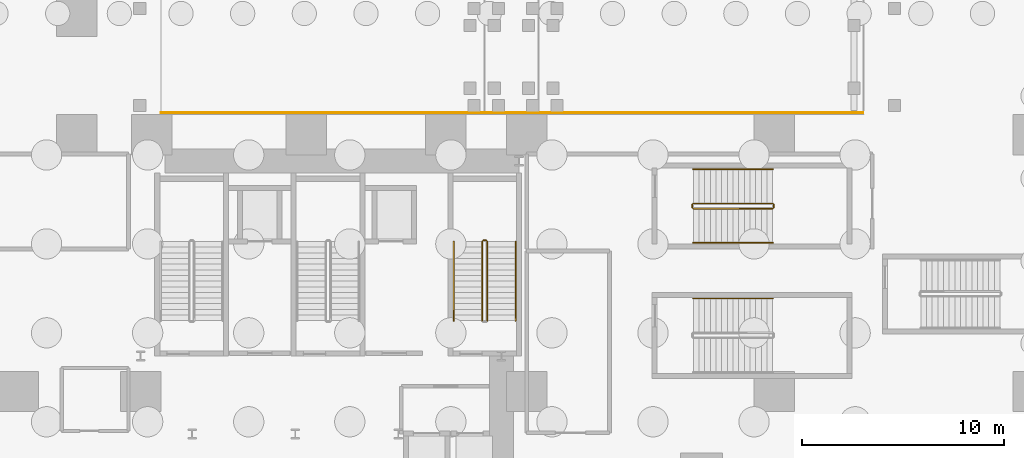
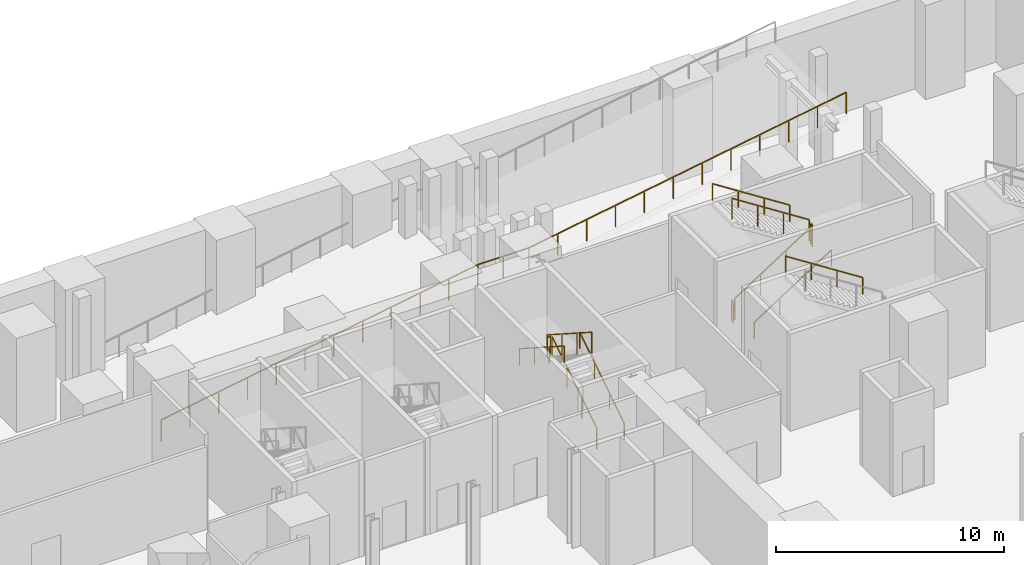
# One storey, part 11 of 14: 13 railings.
"""IFC4 building model written with IfcOpenShell, lengths in metres."""

from ifc_helpers import new_model, si_unit, direction, frame, origin, origin_2d, place, context, subcontext, project, spatial, rectangle, extrude, source, transform, mapped, material, type_object, element, save


model = new_model("IFC4")

# Units and contexts
model_context = context("Model", 3, precision=1e-05, world=origin(), true_north=direction((0.0, 1.0)))
body_context = subcontext(model_context, "Body", "Model", "MODEL_VIEW")
ifc_project = project(units=[si_unit("LENGTHUNIT", "METRE"), si_unit("AREAUNIT", "SQUARE_METRE"), si_unit("VOLUMEUNIT", "CUBIC_METRE"), si_unit("PLANEANGLEUNIT", "RADIAN"), si_unit("MASSUNIT", "GRAM", prefix="KILO")], contexts=[model_context])

# Site, building, storey
site_placement = place(None, origin())
site = spatial("IfcSite", under=ifc_project, at=site_placement, CompositionType="ELEMENT")
building_placement = place(site_placement, origin())
building = spatial("IfcBuilding", under=site, at=building_placement, Name="Vardaveli Station Tower", CompositionType="ELEMENT")
storey_placement = place(building_placement, frame((0.0, 0.0, -11.39990234375)))
storey = spatial("IfcBuildingStorey", under=building, at=storey_placement, Name="B02", CompositionType="ELEMENT", Elevation=-11.39990234375)

# Railings
ifc_material = material(Name="Brushed AISI 316 stainless steel", Category="steel")
railing_type_1 = type_object("IfcRailingType", Name="RL-GUARD-1150", PredefinedType="GUARDRAIL", material=ifc_material)
shared_shape_1 = source(origin(), body_context, "Body", "SweptSolid", [
    extrude(rectangle(XDim=0.048095703125, YDim=0.048095703125, at=origin_2d()), frame((0.0, 0.0, 1.15576171875), z_axis=(-0.986211320384, 0.0, -0.165490880555), x_axis=(0.0, -1.0, 0.0)), (0.0, 0.0, 1.0), 16.314697265625),
    extrude(rectangle(XDim=0.048095703125, YDim=0.048095703125, at=origin_2d()), frame((-16.08984375, 0.0, -1.5439453125), z_axis=(-1.0, 0.0, 0.0), x_axis=(0.0, -1.0, 0.0)), (0.0, 0.0, 1.0), 2.60009765625),
    extrude(rectangle(XDim=0.048095703125, YDim=0.048095703125, at=origin_2d()), frame((-18.68994140625, 0.0, -1.5439453125), z_axis=(-0.986127335493, 0.0, -0.1659905967), x_axis=(0.0, -1.0, 0.0)), (0.0, 0.0, 1.0), 16.265625),
    extrude(rectangle(XDim=0.0419921875, YDim=0.0419921875, at=origin_2d()), origin(), (0.0, 0.0, 1.0), 1.1318359375),
    extrude(rectangle(XDim=0.0419921875, YDim=0.0419921875, at=origin_2d()), frame((-1.462646484375, 0.0, -0.245361328125)), (0.0, 0.0, 1.0), 1.1318359375),
    extrude(rectangle(XDim=0.0419921875, YDim=0.0419921875, at=origin_2d()), frame((-2.925537109375, 0.0, -0.490966796875)), (0.0, 0.0, 1.0), 1.1318359375),
    extrude(rectangle(XDim=0.0419921875, YDim=0.0419921875, at=origin_2d()), frame((-4.38818359375, 0.0, -0.736328125)), (0.0, 0.0, 1.0), 1.1318359375),
    extrude(rectangle(XDim=0.0419921875, YDim=0.0419921875, at=origin_2d()), frame((-5.850830078125, 0.0, -0.981689453125)), (0.0, 0.0, 1.0), 1.1318359375),
    extrude(rectangle(XDim=0.0419921875, YDim=0.0419921875, at=origin_2d()), frame((-7.3134765625, 0.0, -1.227294921875)), (0.0, 0.0, 1.0), 1.1318359375),
    extrude(rectangle(XDim=0.0419921875, YDim=0.0419921875, at=origin_2d()), frame((-8.7763671875, 0.0, -1.47265625)), (0.0, 0.0, 1.0), 1.1318359375),
    extrude(rectangle(XDim=0.0419921875, YDim=0.0419921875, at=origin_2d()), frame((-10.239013671875, 0.0, -1.71826171875)), (0.0, 0.0, 1.0), 1.1318359375),
    extrude(rectangle(XDim=0.0419921875, YDim=0.0419921875, at=origin_2d()), frame((-11.70166015625, 0.0, -1.963623046875)), (0.0, 0.0, 1.0), 1.1318359375),
    extrude(rectangle(XDim=0.0419921875, YDim=0.0419921875, at=origin_2d()), frame((-13.164306640625, 0.0, -2.208984375)), (0.0, 0.0, 1.0), 1.1318359375),
    extrude(rectangle(XDim=0.0419921875, YDim=0.0419921875, at=origin_2d()), frame((-14.627197265625, 0.0, -2.45458984375)), (0.0, 0.0, 1.0), 1.1318359375),
    extrude(rectangle(XDim=0.0419921875, YDim=0.0419921875, at=origin_2d()), frame((-16.08984375, 0.0, -2.699951171875)), (0.0, 0.0, 1.0), 1.1318359375),
    extrude(rectangle(XDim=0.0419921875, YDim=0.0419921875, at=origin_2d()), frame((-17.389892578125, 0.0, -2.699951171875)), (0.0, 0.0, 1.0), 1.1318359375),
    extrude(rectangle(XDim=0.0419921875, YDim=0.0419921875, at=origin_2d()), frame((-18.68994140625, 0.0, -2.699951171875)), (0.0, 0.0, 1.0), 1.1318359375),
    extrude(rectangle(XDim=0.0419921875, YDim=0.0419921875, at=origin_2d()), frame((-20.148193359375, 0.0, -2.9453125)), (0.0, 0.0, 1.0), 1.1318359375),
    extrude(rectangle(XDim=0.0419921875, YDim=0.0419921875, at=origin_2d()), frame((-21.606201171875, 0.0, -3.19091796875)), (0.0, 0.0, 1.0), 1.1318359375),
    extrude(rectangle(XDim=0.0419921875, YDim=0.0419921875, at=origin_2d()), frame((-23.064453125, 0.0, -3.436279296875)), (0.0, 0.0, 1.0), 1.1318359375),
    extrude(rectangle(XDim=0.0419921875, YDim=0.0419921875, at=origin_2d()), frame((-24.522705078125, 0.0, -3.681640625)), (0.0, 0.0, 1.0), 1.1318359375),
    extrude(rectangle(XDim=0.0419921875, YDim=0.0419921875, at=origin_2d()), frame((-25.98095703125, 0.0, -3.92724609375)), (0.0, 0.0, 1.0), 1.1318359375),
    extrude(rectangle(XDim=0.0419921875, YDim=0.0419921875, at=origin_2d()), frame((-27.43896484375, 0.0, -4.172607421875)), (0.0, 0.0, 1.0), 1.1318359375),
    extrude(rectangle(XDim=0.0419921875, YDim=0.0419921875, at=origin_2d()), frame((-28.897216796875, 0.0, -4.418212890625)), (0.0, 0.0, 1.0), 1.1318359375),
    extrude(rectangle(XDim=0.0419921875, YDim=0.0419921875, at=origin_2d()), frame((-30.35546875, 0.0, -4.66357421875)), (0.0, 0.0, 1.0), 1.1318359375),
    extrude(rectangle(XDim=0.0419921875, YDim=0.0419921875, at=origin_2d()), frame((-31.813720703125, 0.0, -4.908935546875)), (0.0, 0.0, 1.0), 1.1318359375),
    extrude(rectangle(XDim=0.0419921875, YDim=0.0419921875, at=origin_2d()), frame((-33.271728515625, 0.0, -5.154541015625)), (0.0, 0.0, 1.0), 1.1318359375),
    extrude(rectangle(XDim=0.0419921875, YDim=0.0419921875, at=origin_2d()), frame((-34.72998046875, 0.0, -5.39990234375)), (0.0, 0.0, 1.0), 1.1318359375),
])
railing_1_placement = place(storey_placement, frame((64.389892578125, 42.679931640625, 5.39990234375)))
element("IfcRailing", 1, at=railing_1_placement, inside=storey, type_object=railing_type_1, Name="RL-RMP-VEH-02-S", PredefinedType="GUARDRAIL", context=body_context, shape_type="MappedRepresentation", body=[
    mapped(shared_shape_1, transform((0.0, 0.0, 0.0), scale=1.0)),
])
shared_shape_2 = source(origin(), body_context, "Body", "SweptSolid", [
    extrude(rectangle(XDim=0.048095703125, YDim=0.048095703125, at=origin_2d()), frame((0.0, 0.0, 1.1259765625), z_axis=(0.0, 0.841186985886, 0.540744352514), x_axis=(-1.0, 0.0, 0.0)), (0.0, 0.0, 1.0), 4.660400390625),
    extrude(rectangle(XDim=0.0419921875, YDim=0.0419921875, at=origin_2d()), origin(), (0.0, 0.0, 1.0), 1.101806640625),
    extrude(rectangle(XDim=0.0419921875, YDim=0.0419921875, at=origin_2d()), frame((0.0, 1.306640625, 0.840087890625)), (0.0, 0.0, 1.0), 1.101806640625),
    extrude(rectangle(XDim=0.0419921875, YDim=0.0419921875, at=origin_2d()), frame((0.0, 2.613525390625, 1.679931640625)), (0.0, 0.0, 1.0), 1.101806640625),
    extrude(rectangle(XDim=0.0419921875, YDim=0.0419921875, at=origin_2d()), frame((0.0, 3.920166015625, 2.52001953125)), (0.0, 0.0, 1.0), 1.101806640625),
])
railing_2_placement = place(storey_placement, frame((45.800048828125, 32.39990234375, 0.179931640625)))
element("IfcRailing", 2, at=railing_2_placement, inside=storey, type_object=railing_type_1, Name="B02 ST-3 stair guard 1", PredefinedType="GUARDRAIL", context=body_context, shape_type="MappedRepresentation", body=[
    mapped(shared_shape_2, transform((0.0, 0.0, 0.0), scale=1.0)),
])
shared_shape_3 = source(origin(), body_context, "Body", "SweptSolid", [
    extrude(rectangle(XDim=0.048095703125, YDim=0.048095703125, at=origin_2d()), frame((0.0, 0.0, 1.1259765625), z_axis=(-1.0, 0.0, 0.0), x_axis=(0.0, -1.0, 0.0)), (0.0, 0.0, 1.0), 0.14990234375),
    extrude(rectangle(XDim=0.0419921875, YDim=0.0419921875, at=origin_2d()), origin(), (0.0, 0.0, 1.0), 1.101806640625),
    extrude(rectangle(XDim=0.0419921875, YDim=0.0419921875, at=origin_2d()), frame((-0.14990234375, 0.0, 0.0)), (0.0, 0.0, 1.0), 1.101806640625),
])
railing_3_placement = place(storey_placement, frame((45.75, 36.3701171875, 2.699951171875)))
element("IfcRailing", 3, at=railing_3_placement, inside=storey, type_object=railing_type_1, Name="B02 ST-3 stair guard 2", PredefinedType="GUARDRAIL", context=body_context, shape_type="MappedRepresentation", body=[
    mapped(shared_shape_3, transform((0.0, 0.0, 0.0), scale=1.0)),
])
shared_shape_4 = source(origin(), body_context, "Body", "SweptSolid", [
    extrude(rectangle(XDim=0.048095703125, YDim=0.048095703125, at=origin_2d()), frame((0.0, 0.0, 1.1259765625), z_axis=(0.0, -0.841186985886, 0.540744352514), x_axis=(1.0, 0.0, 0.0)), (0.0, 0.0, 1.0), 4.660400390625),
    extrude(rectangle(XDim=0.0419921875, YDim=0.0419921875, at=origin_2d()), origin(), (0.0, 0.0, 1.0), 1.101806640625),
    extrude(rectangle(XDim=0.0419921875, YDim=0.0419921875, at=origin_2d()), frame((0.0, -1.306640625, 0.840087890625)), (0.0, 0.0, 1.0), 1.101806640625),
    extrude(rectangle(XDim=0.0419921875, YDim=0.0419921875, at=origin_2d()), frame((0.0, -2.613525390625, 1.679931640625)), (0.0, 0.0, 1.0), 1.101806640625),
    extrude(rectangle(XDim=0.0419921875, YDim=0.0419921875, at=origin_2d()), frame((0.0, -3.920166015625, 2.52001953125)), (0.0, 0.0, 1.0), 1.101806640625),
])
railing_4_placement = place(storey_placement, frame((45.550048828125, 36.320068359375, 2.8798828125)))
element("IfcRailing", 4, at=railing_4_placement, inside=storey, type_object=railing_type_1, Name="B02 ST-3 stair guard 3", PredefinedType="GUARDRAIL", context=body_context, shape_type="MappedRepresentation", body=[
    mapped(shared_shape_4, transform((0.0, 0.0, 0.0), scale=1.0)),
])
railing_type_2 = type_object("IfcRailingType", Name="RL-HAND-900", PredefinedType="HANDRAIL", material=ifc_material)
shared_shape_5 = source(origin(), body_context, "Body", "SweptSolid", [
    extrude(rectangle(XDim=0.048095703125, YDim=0.048095703125, at=origin_2d()), frame((0.0, 0.0, 0.8759765625), z_axis=(0.0, 0.841186985886, 0.540744352514), x_axis=(-1.0, 0.0, 0.0)), (0.0, 0.0, 1.0), 4.660400390625),
    extrude(rectangle(XDim=0.0419921875, YDim=0.0419921875, at=origin_2d()), origin(), (0.0, 0.0, 1.0), 0.851806640625),
    extrude(rectangle(XDim=0.0419921875, YDim=0.0419921875, at=origin_2d()), frame((0.0, 1.306640625, 0.840087890625)), (0.0, 0.0, 1.0), 0.851806640625),
    extrude(rectangle(XDim=0.0419921875, YDim=0.0419921875, at=origin_2d()), frame((0.0, 2.613525390625, 1.679931640625)), (0.0, 0.0, 1.0), 0.851806640625),
    extrude(rectangle(XDim=0.0419921875, YDim=0.0419921875, at=origin_2d()), frame((0.0, 3.920166015625, 2.52001953125)), (0.0, 0.0, 1.0), 0.851806640625),
])
railing_5_placement = place(storey_placement, frame((47.199951171875, 32.39990234375, 0.179931640625)))
element("IfcRailing", 5, at=railing_5_placement, inside=storey, type_object=railing_type_2, Name="B02 ST-3 stair handrail 1", PredefinedType="HANDRAIL", context=body_context, shape_type="MappedRepresentation", body=[
    mapped(shared_shape_5, transform((0.0, 0.0, 0.0), scale=1.0)),
])
shared_shape_6 = source(origin(), body_context, "Body", "SweptSolid", [
    extrude(rectangle(XDim=0.048095703125, YDim=0.048095703125, at=origin_2d()), frame((0.0, 0.0, 0.8759765625), z_axis=(0.0, -0.841186985886, 0.540744352514), x_axis=(1.0, 0.0, 0.0)), (0.0, 0.0, 1.0), 4.660400390625),
    extrude(rectangle(XDim=0.0419921875, YDim=0.0419921875, at=origin_2d()), origin(), (0.0, 0.0, 1.0), 0.851806640625),
    extrude(rectangle(XDim=0.0419921875, YDim=0.0419921875, at=origin_2d()), frame((0.0, -1.306640625, 0.840087890625)), (0.0, 0.0, 1.0), 0.851806640625),
    extrude(rectangle(XDim=0.0419921875, YDim=0.0419921875, at=origin_2d()), frame((0.0, -2.613525390625, 1.679931640625)), (0.0, 0.0, 1.0), 0.851806640625),
    extrude(rectangle(XDim=0.0419921875, YDim=0.0419921875, at=origin_2d()), frame((0.0, -3.920166015625, 2.52001953125)), (0.0, 0.0, 1.0), 0.851806640625),
])
railing_6_placement = place(storey_placement, frame((44.14990234375, 36.320068359375, 2.8798828125)))
element("IfcRailing", 6, at=railing_6_placement, inside=storey, type_object=railing_type_2, Name="B02 ST-3 stair handrail 2", PredefinedType="HANDRAIL", context=body_context, shape_type="MappedRepresentation", body=[
    mapped(shared_shape_6, transform((0.0, 0.0, 0.0), scale=1.0)),
])
shared_shape_7 = source(origin(), body_context, "Body", "SweptSolid", [
    extrude(rectangle(XDim=0.048095703125, YDim=0.048095703125, at=origin_2d()), frame((0.0, 0.0, 1.1259765625), z_axis=(0.841171666519, 0.0, 0.540768182723), x_axis=(0.0, 1.0, 0.0)), (0.0, 0.0, 1.0), 4.66015625),
    extrude(rectangle(XDim=0.0419921875, YDim=0.0419921875, at=origin_2d()), origin(), (0.0, 0.0, 1.0), 1.101806640625),
    extrude(rectangle(XDim=0.0419921875, YDim=0.0419921875, at=origin_2d()), frame((1.306640625, 0.0, 0.840087890625)), (0.0, 0.0, 1.0), 1.101806640625),
    extrude(rectangle(XDim=0.0419921875, YDim=0.0419921875, at=origin_2d()), frame((2.61328125, 0.0, 1.679931640625)), (0.0, 0.0, 1.0), 1.101806640625),
    extrude(rectangle(XDim=0.0419921875, YDim=0.0419921875, at=origin_2d()), frame((3.919921875, 0.0, 2.52001953125)), (0.0, 0.0, 1.0), 1.101806640625),
])
railing_7_placement = place(storey_placement, frame((56.0, 37.949951171875, 0.179931640625)))
element("IfcRailing", 7, at=railing_7_placement, inside=storey, type_object=railing_type_1, Name="B02 ST-P2 stair guard 1", PredefinedType="GUARDRAIL", context=body_context, shape_type="MappedRepresentation", body=[
    mapped(shared_shape_7, transform((0.0, 0.0, 0.0), scale=1.0)),
])
shared_shape_8 = source(origin(), body_context, "Body", "SweptSolid", [
    extrude(rectangle(XDim=0.048095703125, YDim=0.048095703125, at=origin_2d()), frame((0.0, 0.0, 1.1259765625), z_axis=(0.0, 1.0, 0.0), x_axis=(-1.0, 0.0, 0.0)), (0.0, 0.0, 1.0), 0.14990234375),
    extrude(rectangle(XDim=0.0419921875, YDim=0.0419921875, at=origin_2d()), origin(), (0.0, 0.0, 1.0), 1.101806640625),
    extrude(rectangle(XDim=0.0419921875, YDim=0.0419921875, at=origin_2d()), frame((0.0, 0.14990234375, 0.0)), (0.0, 0.0, 1.0), 1.101806640625),
])
for number, where, name in (
    (8, (59.969970703125, 38.0, 2.699951171875), "B02 ST-P2 stair guard 2"),
    (9, (55.949951171875, 38.0, 0.0), "B02 ST-P2 stair guard 4"),
):
    element("IfcRailing", number, at=place(storey_placement, frame(where)), inside=storey, type_object=railing_type_1, Name=name, PredefinedType="GUARDRAIL", context=body_context, shape_type="MappedRepresentation", body=[
        mapped(shared_shape_8, transform((0.0, 0.0, 0.0), scale=1.0)),
    ])
shared_shape_9 = source(origin(), body_context, "Body", "SweptSolid", [
    extrude(rectangle(XDim=0.048095703125, YDim=0.048095703125, at=origin_2d()), frame((0.0, 0.0, 1.1259765625), z_axis=(-0.841171666519, 0.0, 0.540768182723), x_axis=(0.0, -1.0, 0.0)), (0.0, 0.0, 1.0), 4.66015625),
    extrude(rectangle(XDim=0.0419921875, YDim=0.0419921875, at=origin_2d()), origin(), (0.0, 0.0, 1.0), 1.101806640625),
    extrude(rectangle(XDim=0.0419921875, YDim=0.0419921875, at=origin_2d()), frame((-1.306640625, 0.0, 0.840087890625)), (0.0, 0.0, 1.0), 1.101806640625),
    extrude(rectangle(XDim=0.0419921875, YDim=0.0419921875, at=origin_2d()), frame((-2.61328125, 0.0, 1.679931640625)), (0.0, 0.0, 1.0), 1.101806640625),
    extrude(rectangle(XDim=0.0419921875, YDim=0.0419921875, at=origin_2d()), frame((-3.919921875, 0.0, 2.52001953125)), (0.0, 0.0, 1.0), 1.101806640625),
])
railing_8_placement = place(storey_placement, frame((59.919921875, 38.199951171875, 2.8798828125)))
element("IfcRailing", 10, at=railing_8_placement, inside=storey, type_object=railing_type_1, Name="B02 ST-P2 stair guard 3", PredefinedType="GUARDRAIL", context=body_context, shape_type="MappedRepresentation", body=[
    mapped(shared_shape_9, transform((0.0, 0.0, 0.0), scale=1.0)),
])
shared_shape_10 = source(origin(), body_context, "Body", "SweptSolid", [
    extrude(rectangle(XDim=0.048095703125, YDim=0.048095703125, at=origin_2d()), frame((0.0, 0.0, 0.8759765625), z_axis=(0.841171666519, 0.0, 0.540768182723), x_axis=(0.0, 1.0, 0.0)), (0.0, 0.0, 1.0), 4.66015625),
    extrude(rectangle(XDim=0.0419921875, YDim=0.0419921875, at=origin_2d()), origin(), (0.0, 0.0, 1.0), 0.851806640625),
    extrude(rectangle(XDim=0.0419921875, YDim=0.0419921875, at=origin_2d()), frame((1.306640625, 0.0, 0.840087890625)), (0.0, 0.0, 1.0), 0.851806640625),
    extrude(rectangle(XDim=0.0419921875, YDim=0.0419921875, at=origin_2d()), frame((2.61328125, 0.0, 1.679931640625)), (0.0, 0.0, 1.0), 0.851806640625),
    extrude(rectangle(XDim=0.0419921875, YDim=0.0419921875, at=origin_2d()), frame((3.919921875, 0.0, 2.52001953125)), (0.0, 0.0, 1.0), 0.851806640625),
])
railing_9_placement = place(storey_placement, frame((56.0, 36.25, 0.179931640625)))
element("IfcRailing", 11, at=railing_9_placement, inside=storey, type_object=railing_type_2, Name="B02 ST-P2 stair handrail 1", PredefinedType="HANDRAIL", context=body_context, shape_type="MappedRepresentation", body=[
    mapped(shared_shape_10, transform((0.0, 0.0, 0.0), scale=1.0)),
])
shared_shape_11 = source(origin(), body_context, "Body", "SweptSolid", [
    extrude(rectangle(XDim=0.048095703125, YDim=0.048095703125, at=origin_2d()), frame((0.0, 0.0, 0.8759765625), z_axis=(-0.841171666519, 0.0, 0.540768182723), x_axis=(0.0, -1.0, 0.0)), (0.0, 0.0, 1.0), 4.66015625),
    extrude(rectangle(XDim=0.0419921875, YDim=0.0419921875, at=origin_2d()), origin(), (0.0, 0.0, 1.0), 0.851806640625),
    extrude(rectangle(XDim=0.0419921875, YDim=0.0419921875, at=origin_2d()), frame((-1.306640625, 0.0, 0.840087890625)), (0.0, 0.0, 1.0), 0.851806640625),
    extrude(rectangle(XDim=0.0419921875, YDim=0.0419921875, at=origin_2d()), frame((-2.61328125, 0.0, 1.679931640625)), (0.0, 0.0, 1.0), 0.851806640625),
    extrude(rectangle(XDim=0.0419921875, YDim=0.0419921875, at=origin_2d()), frame((-3.919921875, 0.0, 2.52001953125)), (0.0, 0.0, 1.0), 0.851806640625),
])
for number, where, name in (
    (12, (59.919921875, 33.5, 2.8798828125), "B02 ST-S2 stair handrail 2"),
    (13, (59.919921875, 39.89990234375, 2.8798828125), "B02 ST-P2 stair handrail 2"),
):
    element("IfcRailing", number, at=place(storey_placement, frame(where)), inside=storey, type_object=railing_type_2, Name=name, PredefinedType="HANDRAIL", context=body_context, shape_type="MappedRepresentation", body=[
        mapped(shared_shape_11, transform((0.0, 0.0, 0.0), scale=1.0)),
    ])

save(model, "model.ifc")
